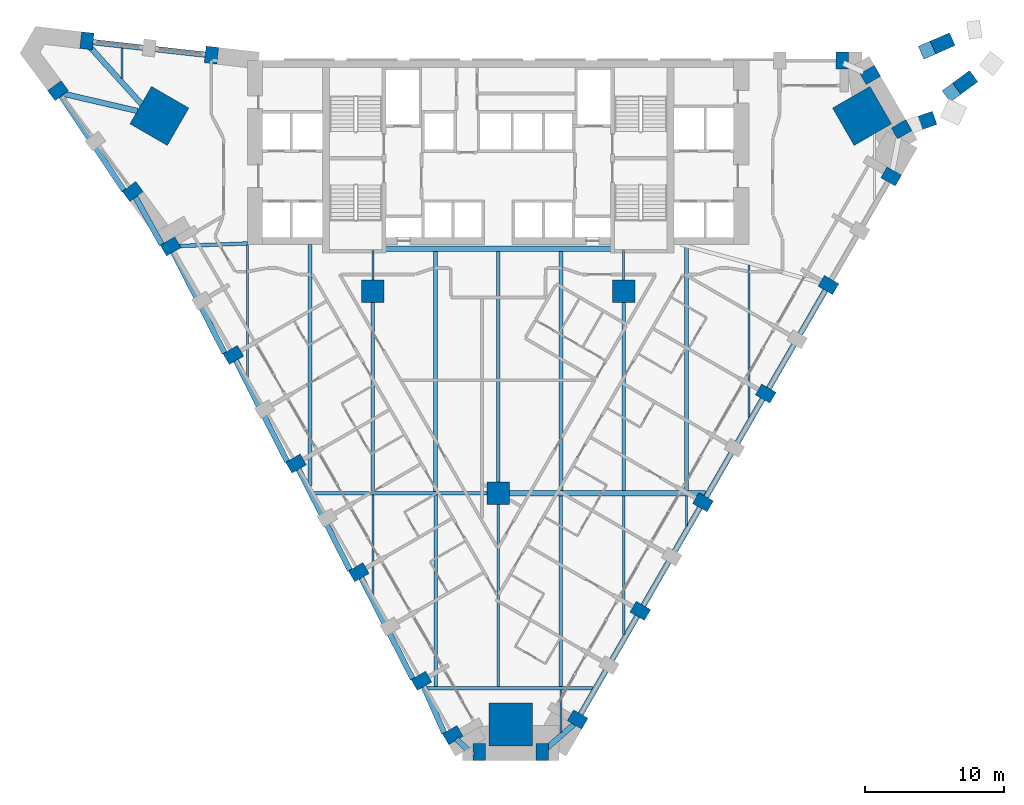
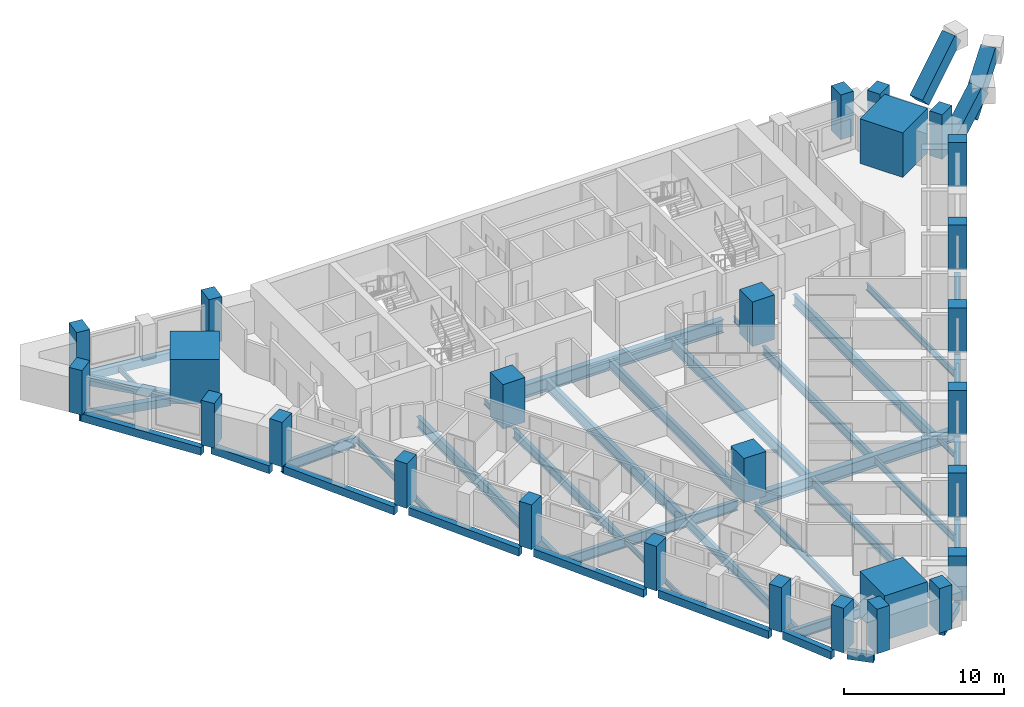
# One storey, part 1 of 12: 40 beams, 30 columns.
"""IFC4 building model written with IfcOpenShell, lengths in metres."""

from ifc_helpers import new_model, si_unit, direction, frame, origin, origin_2d, place, context, subcontext, project, spatial, rectangle, i_section, extrude, clip, halfspace, material, material_profile, profile_set, type_object, element, save


model = new_model("IFC4")

# Units and contexts
model_context = context("Model", 3, precision=1e-05, world=origin(), true_north=direction((0.0, 1.0)))
body_context = subcontext(model_context, "Body", "Model", "MODEL_VIEW")
ifc_project = project(units=[si_unit("LENGTHUNIT", "METRE"), si_unit("AREAUNIT", "SQUARE_METRE"), si_unit("VOLUMEUNIT", "CUBIC_METRE"), si_unit("PLANEANGLEUNIT", "RADIAN"), si_unit("MASSUNIT", "GRAM", prefix="KILO")], contexts=[model_context])

# Site, building, storey
site_placement = place(None, origin())
site = spatial("IfcSite", under=ifc_project, at=site_placement, CompositionType="ELEMENT")
building_placement = place(site_placement, origin())
building = spatial("IfcBuilding", under=site, at=building_placement, Name="Calabash Gate Tower", CompositionType="ELEMENT")
storey_placement = place(building_placement, frame((0.0, 0.0, 83.39990234375)))
storey = spatial("IfcBuildingStorey", under=building, at=storey_placement, Name="L17", CompositionType="ELEMENT", Elevation=83.39990234375)

# Columns
ifc_material_1 = material(Name="Concrete C80/95", Category="concrete")
ifc_material_profile_1 = material_profile(ifc_material_1, rectangle(XDim=1.60009765625, YDim=1.60009765625, at=origin_2d()))
ifc_profile_set_1 = profile_set([ifc_material_profile_1], Name="Concrete C80/95")
column_type_1 = type_object("IfcColumnType", Name="Interior column RC 1600x1600 Concrete C80/95", PredefinedType="COLUMN", material=ifc_profile_set_1)
for number, where, z_axis, x_axis, name in (
    (1, (-9.0, 2.5, 0.0), (0.0, 0.0, 1.0), (1.0, 0.0, 0.0), "Interior column L17 I0"),
    (2, (9.0, 2.5, 0.0), (0.0, 0.0, 1.0), (1.0, 0.0, 0.0), "Interior column L17 I1"),
    (3, (0.0, -12.0, 0.0), (0.0, 0.0, 1.0), (1.0, 0.0, 0.0), "Interior column L17 I2"),
):
    element("IfcColumn", number, at=place(storey_placement, frame(where, z_axis=z_axis, x_axis=x_axis)), inside=storey, type_object=column_type_1, Name=name, PredefinedType="COLUMN", context=body_context, shape_type="SweptSolid", body=[
        extrude(rectangle(XDim=1.60009765625, YDim=1.60009765625, at=origin_2d()), origin(), (0.0, 0.0, 1.0), 3.400146484375),
    ])
ifc_material_2 = material(Name="Concrete C80/95", Category="concrete")
ifc_material_profile_2 = material_profile(ifc_material_2, rectangle(XDim=3.10009765625, YDim=3.10009765625, at=origin_2d()))
ifc_profile_set_2 = profile_set([ifc_material_profile_2], Name="Concrete C80/95")
column_type_2 = type_object("IfcColumnType", Name="Mega column RC 3100x3100 Concrete C80/95", PredefinedType="COLUMN", material=ifc_profile_set_2)
for number, where, z_axis, x_axis, name in (
    (4, (-24.31689453125, 15.072998046875, 0.0), (0.0, 0.0, 1.0), (0.866025412511, -0.499999984885, 0.0), "Mega column L17 NW"),
    (5, (26.10693359375, 15.072998046875, 0.0), (0.0, 0.0, 1.0), (-0.866025447418, -0.499999924425, 0.0), "Mega column L17 NE"),
    (6, (0.89697265625, -28.595947265625, 0.0), (0.0, 0.0, 1.0), (0.0, 1.0, 0.0), "Mega column L17 S"),
):
    element("IfcColumn", number, at=place(storey_placement, frame(where, z_axis=z_axis, x_axis=x_axis)), inside=storey, type_object=column_type_2, Name=name, PredefinedType="COLUMN", context=body_context, shape_type="SweptSolid", body=[
        extrude(rectangle(XDim=3.10009765625, YDim=3.10009765625, at=origin_2d()), origin(), (0.0, 0.0, 1.0), 3.400146484375),
    ])
ifc_material_3 = material(Name="Concrete C70/85", Category="concrete")
ifc_material_profile_3 = material_profile(ifc_material_3, rectangle(XDim=0.89990234375, YDim=1.199951171875, at=origin_2d()))
ifc_profile_set_3 = profile_set([ifc_material_profile_3], Name="Concrete C70/85")
column_type_3 = type_object("IfcColumnType", Name="Perimeter column RC 900x1200 Concrete C70/85", PredefinedType="COLUMN", material=ifc_profile_set_3)
for number, where, z_axis, x_axis, name in (
    (7, (-23.509033203125, 5.714111328125, 0.0), (0.0, 0.0, 1.0), (0.5, -0.866025403784, 0.0), "Perimeter column L17 P00"),
    (8, (-19.009033203125, -2.080078125, 0.0), (0.0, 0.0, 1.0), (0.5, -0.866025403784, 0.0), "Perimeter column L17 P01"),
    (9, (-14.509033203125, -9.8740234375, 0.0), (0.0, 0.0, 1.0), (0.5, -0.866025403784, 0.0), "Perimeter column L17 P02"),
    (10, (-10.009033203125, -17.6689453125, 0.0), (0.0, 0.0, 1.0), (0.5, -0.866025403784, 0.0), "Perimeter column L17 P03"),
    (11, (-5.509033203125, -25.462890625, 0.0), (0.0, 0.0, 1.0), (0.5, -0.866025403784, 0.0), "Perimeter column L17 P04"),
    (12, (-3.259033203125, -29.360107421875, 0.0), (0.0, 0.0, 1.0), (0.5, -0.866025403784, 0.0), "Perimeter column L17 P05"),
    (13, (-1.35302734375, -30.573974609375, 0.0), (0.0, 0.0, 1.0), (1.0, 0.0, 0.0), "Perimeter column L17 P06"),
    (14, (3.14697265625, -30.573974609375, 0.0), (0.0, 0.0, 1.0), (1.0, 0.0, 0.0), "Perimeter column L17 P07"),
    (15, (5.697021484375, -28.237060546875, 0.0), (0.0, 0.0, 1.0), (0.5, 0.866025403784, 0.0), "Perimeter column L17 P08"),
    (16, (10.197021484375, -20.443115234375, 0.0), (0.0, 0.0, 1.0), (0.5, 0.866025403784, 0.0), "Perimeter column L17 P09"),
    (17, (14.697021484375, -12.64794921875, 0.0), (0.0, 0.0, 1.0), (0.5, 0.866025403784, 0.0), "Perimeter column L17 P10"),
    (18, (19.197021484375, -4.85400390625, 0.0), (0.0, 0.0, 1.0), (0.5, 0.866025403784, 0.0), "Perimeter column L17 P11"),
    (19, (23.697021484375, 2.93994140625, 0.0), (0.0, 0.0, 1.0), (0.5, 0.866025403784, 0.0), "Perimeter column L17 P12"),
    (20, (28.197021484375, 10.73388671875, 0.0), (0.0, 0.0, 1.0), (0.5, 0.866025403784, 0.0), "Perimeter column L17 P13"),
    (21, (28.947021484375, 14.113037109375, 0.0), (0.0, 0.0, 1.0), (-0.5, 0.866025403784, 0.0), "Perimeter column L17 P14"),
    (22, (26.697021484375, 18.010986328125, 0.0), (0.0, 0.0, 1.0), (-0.5, 0.866025403784, 0.0), "Perimeter column L17 P15"),
    (23, (24.69189453125, 19.052978515625, 0.0), (0.0, 0.0, 1.0), (-1.0, 0.0, 0.0), "Perimeter column L17 P16"),
    (24, (-20.576904296875, 19.43798828125, 0.0), (0.0, 0.0, 1.0), (-0.993506319736, 0.113776942504, 0.0), "Perimeter column L17 P17"),
    (25, (-29.51904296875, 20.4619140625, 0.0), (0.0, 0.0, 1.0), (-0.993506319736, 0.113776942504, 0.0), "Perimeter column L17 P18"),
    (26, (-31.5830078125, 16.883056640625, 0.0), (0.0, 0.0, 1.0), (0.595286896465, -0.80351323007, 0.0), "Perimeter column L17 P19"),
    (27, (-26.22802734375, 9.65087890625, 0.0), (0.0, 0.0, 1.0), (0.595286896465, -0.80351323007, 0.0), "Perimeter column L17 P20"),
):
    element("IfcColumn", number, at=place(storey_placement, frame(where, z_axis=z_axis, x_axis=x_axis)), inside=storey, type_object=column_type_3, Name=name, PredefinedType="COLUMN", context=body_context, shape_type="SweptSolid", body=[
        extrude(rectangle(XDim=0.89990234375, YDim=1.199951171875, at=origin_2d()), origin(), (0.0, 0.0, 1.0), 3.400146484375),
    ])
ifc_material_4 = material(Name="Concrete C80/95", Category="concrete")
ifc_material_profile_4 = material_profile(ifc_material_4, rectangle(XDim=1.0, YDim=1.0, at=origin_2d()))
ifc_profile_set_4 = profile_set([ifc_material_profile_4], Name="Concrete C80/95")
column_type_4 = type_object("IfcColumnType", Name="Prow kicker column RC 1000x1000 Concrete C80/95", PredefinedType="COLUMN", material=ifc_profile_set_4)
column_1_placement = place(storey_placement, frame((29.947021484375, 14.4609375, 0.453125), z_axis=(0.666516836402, 0.23158436847, 0.708607075235), x_axis=(-0.669354222062, -0.232570231287, 0.705603297135)))
element("IfcColumn", 28, at=column_1_placement, inside=storey, type_object=column_type_4, Name="Prow kicker column L17 KP21", PredefinedType="COLUMN", context=body_context, shape_type="Clipping", body=[
    clip(extrude(rectangle(XDim=1.0, YDim=1.0, at=origin_2d()), origin(), (0.0, 0.0, 1.0), 4.158935546875), halfspace(frame((0.0, 0.0, 3.65478515625), z_axis=(0.0, 0.0, 1.0), x_axis=(1.0, 0.0, 0.0)), False)),
])
column_2_placement = place(storey_placement, frame((32.41796875, 16.674072265625, 0.0), z_axis=(0.602698711468, 0.444421892333, 0.66275443779), x_axis=(-0.533415618607, -0.393333475103, 0.748836801439)))
element("IfcColumn", 29, at=column_2_placement, inside=storey, type_object=column_type_4, Name="Prow kicker column L17 KP22", PredefinedType="COLUMN", context=body_context, shape_type="Clipping", body=[
    clip(extrude(rectangle(XDim=1.0, YDim=1.0, at=origin_2d()), origin(), (0.0, 0.0, 1.0), 5.13037109375), halfspace(frame((0.0, 0.0, 4.559326171875), z_axis=(0.0, 0.0, 1.0), x_axis=(1.0, 0.0, 0.0)), False)),
])
column_3_placement = place(storey_placement, frame((30.64892578125, 19.738037109375, 0.0), z_axis=(0.686269699102, 0.299737403595, 0.66271516429), x_axis=(-0.607315541992, -0.265253127098, 0.748871558426)))
element("IfcColumn", 30, at=column_3_placement, inside=storey, type_object=column_type_4, Name="Prow kicker column L17 KP23", PredefinedType="COLUMN", context=body_context, shape_type="Clipping", body=[
    clip(extrude(rectangle(XDim=1.0, YDim=1.0, at=origin_2d()), origin(), (0.0, 0.0, 1.0), 5.130615234375), halfspace(frame((0.0, 0.0, 4.5595703125), z_axis=(0.0, 0.0, 1.0), x_axis=(1.0, 0.0, 0.0)), False)),
])

# Beams
ifc_material_5 = material(Name="Concrete C60/75", Category="concrete")
ifc_material_profile_5 = material_profile(ifc_material_5, rectangle(XDim=0.39990234375, YDim=0.60009765625, at=origin_2d()))
ifc_profile_set_5 = profile_set([ifc_material_profile_5], Name="Concrete C60/75")
beam_type_1 = type_object("IfcBeamType", Name="Edge beam RC 400x600 Concrete C60/75", PredefinedType="BEAM", material=ifc_profile_set_5)
for number, where, z_axis, x_axis, name in (
    (31, (-18.864013671875, -2.4208984375, -0.469970703125), (0.454360539812, -0.890817882545, 0.0), (0.890817882545, 0.454360539812, 0.0), "Edge beam L17 1"),
    (32, (-14.364013671875, -10.216064453125, -0.469970703125), (0.454360539812, -0.890817882545, 0.0), (0.890817882545, 0.454360539812, 0.0), "Edge beam L17 2"),
    (33, (-9.864013671875, -18.010009765625, -0.469970703125), (0.454360539812, -0.890817882545, 0.0), (0.890817882545, 0.454360539812, 0.0), "Edge beam L17 3"),
):
    element("IfcBeam", number, at=place(storey_placement, frame(where, z_axis=z_axis, x_axis=x_axis)), inside=storey, type_object=beam_type_1, Name=name, PredefinedType="BEAM", context=body_context, shape_type="SweptSolid", body=[
        extrude(rectangle(XDim=0.39990234375, YDim=0.60009765625, at=origin_2d()), origin(), (0.0, 0.0, 1.0), 8.209228515625),
    ])
beam_1_placement = place(storey_placement, frame((-5.383056640625, -25.802978515625, -0.469970703125), z_axis=(0.406538286329, -0.913633745955, 0.0), x_axis=(0.913633745955, 0.406538286329, 0.0)))
element("IfcBeam", 34, at=beam_1_placement, inside=storey, type_object=beam_type_1, Name="Edge beam L17 4", PredefinedType="BEAM", context=body_context, shape_type="SweptSolid", body=[
    extrude(rectangle(XDim=0.39990234375, YDim=0.60009765625, at=origin_2d()), origin(), (0.0, 0.0, 1.0), 3.739013671875),
])
beam_2_placement = place(storey_placement, frame((-3.01708984375, -29.626953125, -0.469970703125), z_axis=(0.719900616521, -0.694077158774, 0.0), x_axis=(0.694077158774, 0.719900616521, 0.0)))
element("IfcBeam", 35, at=beam_2_placement, inside=storey, type_object=beam_type_1, Name="Edge beam L17 5", PredefinedType="BEAM", context=body_context, shape_type="SweptSolid", body=[
    extrude(rectangle(XDim=0.39990234375, YDim=0.60009765625, at=origin_2d()), origin(), (0.0, 0.0, 1.0), 1.70166015625),
])
beam_3_placement = place(storey_placement, frame((3.277099609375, -30.466064453125, -0.469970703125), z_axis=(0.754438433484, 0.656370817512, 0.0), x_axis=(-0.656370817512, 0.754438433484, 0.0)))
element("IfcBeam", 36, at=beam_3_placement, inside=storey, type_object=beam_type_1, Name="Edge beam L17 6", PredefinedType="BEAM", context=body_context, shape_type="SweptSolid", body=[
    extrude(rectangle(XDim=0.39990234375, YDim=0.60009765625, at=origin_2d()), origin(), (0.0, 0.0, 1.0), 2.863037109375),
])
beam_4_placement = place(storey_placement, frame((5.76611328125, -28.116943359375, -0.469970703125), z_axis=(0.500003371769, 0.866023457084, 0.0), x_axis=(-0.866023457084, 0.500003371769, 0.0)))
element("IfcBeam", 37, at=beam_4_placement, inside=storey, type_object=beam_type_1, Name="Edge beam L17 7", PredefinedType="BEAM", context=body_context, shape_type="SweptSolid", body=[
    extrude(rectangle(XDim=0.39990234375, YDim=0.60009765625, at=origin_2d()), origin(), (0.0, 0.0, 1.0), 8.42578125),
])
for number, where, z_axis, x_axis, name in (
    (38, (10.26611328125, -20.322998046875, -0.469970703125), (0.499990825162, 0.866030700815, 0.0), (-0.866030700815, 0.499990825162, 0.0), "Edge beam L17 8"),
    (39, (14.76611328125, -12.529052734375, -0.469970703125), (0.499990825162, 0.866030700815, 0.0), (-0.866030700815, 0.499990825162, 0.0), "Edge beam L17 9"),
):
    element("IfcBeam", number, at=place(storey_placement, frame(where, z_axis=z_axis, x_axis=x_axis)), inside=storey, type_object=beam_type_1, Name=name, PredefinedType="BEAM", context=body_context, shape_type="SweptSolid", body=[
        extrude(rectangle(XDim=0.39990234375, YDim=0.60009765625, at=origin_2d()), origin(), (0.0, 0.0, 1.0), 8.426025390625),
    ])
beam_5_placement = place(storey_placement, frame((19.26611328125, -4.73291015625, -0.469970703125), z_axis=(0.500103763521, 0.865965487599, 0.0), x_axis=(-0.865965487599, 0.500103763521, 0.0)))
element("IfcBeam", 40, at=beam_5_placement, inside=storey, type_object=beam_type_1, Name="Edge beam L17 10", PredefinedType="BEAM", context=body_context, shape_type="SweptSolid", body=[
    extrude(rectangle(XDim=0.39990234375, YDim=0.60009765625, at=origin_2d()), origin(), (0.0, 0.0, 1.0), 8.424072265625),
])
beam_6_placement = place(storey_placement, frame((-21.008056640625, 19.466064453125, -0.469970703125), z_axis=(-0.993831779681, 0.110898123053, 0.0), x_axis=(-0.110898123053, -0.993831779681, 0.0)))
element("IfcBeam", 41, at=beam_6_placement, inside=storey, type_object=beam_type_1, Name="Edge beam L17 14", PredefinedType="BEAM", context=body_context, shape_type="SweptSolid", body=[
    extrude(rectangle(XDim=0.39990234375, YDim=0.60009765625, at=origin_2d()), origin(), (0.0, 0.0, 1.0), 8.72900390625),
])
beam_7_placement = place(storey_placement, frame((-29.674072265625, 20.43603515625, -0.469970703125), z_axis=(0.67040303974, -0.741997145754, 0.0), x_axis=(0.741997145754, 0.67040303974, 0.0)))
element("IfcBeam", 42, at=beam_7_placement, inside=storey, type_object=beam_type_1, Name="Edge beam L17 15", PredefinedType="BEAM", context=body_context, shape_type="SweptSolid", body=[
    extrude(rectangle(XDim=0.39990234375, YDim=0.60009765625, at=origin_2d()), origin(), (0.0, 0.0, 1.0), 6.09033203125),
])
beam_8_placement = place(storey_placement, frame((-25.881103515625, 15.427001953125, -0.469970703125), z_axis=(-0.974103552421, 0.226102342228, 0.0), x_axis=(-0.226102342228, -0.974103552421, 0.0)))
element("IfcBeam", 43, at=beam_8_placement, inside=storey, type_object=beam_type_1, Name="Edge beam L17 16", PredefinedType="BEAM", context=body_context, shape_type="SweptSolid", body=[
    extrude(rectangle(XDim=0.39990234375, YDim=0.60009765625, at=origin_2d()), origin(), (0.0, 0.0, 1.0), 5.8955078125),
])
beam_9_placement = place(storey_placement, frame((-31.56689453125, 16.81103515625, -0.469970703125), z_axis=(0.554653898701, -0.832081157494, 0.0), x_axis=(0.832081157494, 0.554653898701, 0.0)))
element("IfcBeam", 44, at=beam_9_placement, inside=storey, type_object=beam_type_1, Name="Edge beam L17 17", PredefinedType="BEAM", context=body_context, shape_type="SweptSolid", body=[
    extrude(rectangle(XDim=0.39990234375, YDim=0.60009765625, at=origin_2d()), origin(), (0.0, 0.0, 1.0), 8.5185546875),
])
beam_10_placement = place(storey_placement, frame((-26.208984375, 9.56396484375, -0.469970703125), z_axis=(0.485277183535, -0.87436036915, 0.0), x_axis=(0.87436036915, 0.485277183535, 0.0)))
element("IfcBeam", 45, at=beam_10_placement, inside=storey, type_object=beam_type_1, Name="Edge beam L17 18", PredefinedType="BEAM", context=body_context, shape_type="SweptSolid", body=[
    extrude(rectangle(XDim=0.39990234375, YDim=0.60009765625, at=origin_2d()), origin(), (0.0, 0.0, 1.0), 4.251220703125),
])
beam_11_placement = place(storey_placement, frame((-23.364013671875, 5.373046875, -0.469970703125), z_axis=(0.454360539812, -0.890817882545, 0.0), x_axis=(0.890817882545, 0.454360539812, 0.0)))
element("IfcBeam", 46, at=beam_11_placement, inside=storey, type_object=beam_type_1, Name="Edge beam L17 19", PredefinedType="BEAM", context=body_context, shape_type="SweptSolid", body=[
    extrude(rectangle(XDim=0.39990234375, YDim=0.60009765625, at=origin_2d()), origin(), (0.0, 0.0, 1.0), 8.209228515625),
])
ifc_material_6 = material(Name="Steel ASTM A992 Gr50", Category="steel")
ifc_material_profile_6 = material_profile(ifc_material_6, i_section(OverallWidth=0.1396484375, OverallDepth=0.398681640625, WebThickness=0.00634765625, FlangeThickness=0.0087890625, FilletRadius=0.01025390625, at=origin_2d()))
ifc_profile_set_6 = profile_set([ifc_material_profile_6], Name="Steel ASTM A992 Gr50")
beam_type_2 = type_object("IfcBeamType", Name="Floor beam W16x26 ASTM A992 Gr50", PredefinedType="BEAM", material=ifc_profile_set_6)
beam_12_placement = place(storey_placement, frame((-27.0, 17.741943359375, -0.368896484375), z_axis=(0.0, 1.0, 0.0), x_axis=(-1.0, 0.0, 0.0)))
element("IfcBeam", 47, at=beam_12_placement, inside=storey, type_object=beam_type_2, Name="Floor beam L17 1", PredefinedType="BEAM", context=body_context, shape_type="SweptSolid", body=[
    extrude(i_section(OverallWidth=0.1396484375, OverallDepth=0.398681640625, WebThickness=0.00634765625, FlangeThickness=0.0087890625, FilletRadius=0.01025390625, at=origin_2d()), origin(), (0.0, 0.0, 1.0), 2.220947265625),
])
beam_13_placement = place(storey_placement, frame((-9.0, -19.2880859375, -0.368896484375), z_axis=(0.0, 1.0, 0.0), x_axis=(-1.0, 0.0, 0.0)))
element("IfcBeam", 48, at=beam_13_placement, inside=storey, type_object=beam_type_2, Name="Floor beam L17 4", PredefinedType="BEAM", context=body_context, shape_type="SweptSolid", body=[
    extrude(i_section(OverallWidth=0.1396484375, OverallDepth=0.398681640625, WebThickness=0.00634765625, FlangeThickness=0.0087890625, FilletRadius=0.01025390625, at=origin_2d()), origin(), (0.0, 0.0, 1.0), 7.155029296875),
])
beam_14_placement = place(storey_placement, frame((-9.0, 3.300048828125, -0.368896484375), z_axis=(0.0, 1.0, 0.0), x_axis=(-1.0, 0.0, 0.0)))
element("IfcBeam", 49, at=beam_14_placement, inside=storey, type_object=beam_type_2, Name="Floor beam L17 6", PredefinedType="BEAM", context=body_context, shape_type="SweptSolid", body=[
    extrude(i_section(OverallWidth=0.1396484375, OverallDepth=0.398681640625, WebThickness=0.00634765625, FlangeThickness=0.0087890625, FilletRadius=0.01025390625, at=origin_2d()), origin(), (0.0, 0.0, 1.0), 2.10302734375),
])
beam_15_placement = place(storey_placement, frame((4.5, -29.16796875, -0.368896484375), z_axis=(0.0, 1.0, 0.0), x_axis=(-1.0, 0.0, 0.0)))
element("IfcBeam", 50, at=beam_15_placement, inside=storey, type_object=beam_type_2, Name="Floor beam L17 11", PredefinedType="BEAM", context=body_context, shape_type="SweptSolid", body=[
    extrude(i_section(OverallWidth=0.1396484375, OverallDepth=0.398681640625, WebThickness=0.00634765625, FlangeThickness=0.0087890625, FilletRadius=0.01025390625, at=origin_2d()), origin(), (0.0, 0.0, 1.0), 3.034912109375),
])
beam_16_placement = place(storey_placement, frame((9.0, 3.300048828125, -0.368896484375), z_axis=(0.0, 1.0, 0.0), x_axis=(-1.0, 0.0, 0.0)))
element("IfcBeam", 51, at=beam_16_placement, inside=storey, type_object=beam_type_2, Name="Floor beam L17 16", PredefinedType="BEAM", context=body_context, shape_type="SweptSolid", body=[
    extrude(i_section(OverallWidth=0.1396484375, OverallDepth=0.398681640625, WebThickness=0.00634765625, FlangeThickness=0.0087890625, FilletRadius=0.01025390625, at=origin_2d()), origin(), (0.0, 0.0, 1.0), 2.10302734375),
])
beam_17_placement = place(storey_placement, frame((13.5, -14.35400390625, -0.368896484375), z_axis=(0.0, 1.0, 0.0), x_axis=(-1.0, 0.0, 0.0)))
element("IfcBeam", 52, at=beam_17_placement, inside=storey, type_object=beam_type_2, Name="Floor beam L17 17", PredefinedType="BEAM", context=body_context, shape_type="SweptSolid", body=[
    extrude(i_section(OverallWidth=0.1396484375, OverallDepth=0.398681640625, WebThickness=0.00634765625, FlangeThickness=0.0087890625, FilletRadius=0.01025390625, at=origin_2d()), origin(), (0.0, 0.0, 1.0), 2.14404296875),
])
ifc_material_7 = material(Name="Steel ASTM A992 Gr50", Category="steel")
ifc_material_profile_7 = material_profile(ifc_material_7, i_section(OverallWidth=0.15234375, OverallDepth=0.44970703125, WebThickness=0.007568359375, FlangeThickness=0.0107421875, FilletRadius=0.01025390625, at=origin_2d()))
ifc_profile_set_7 = profile_set([ifc_material_profile_7], Name="Steel ASTM A992 Gr50")
beam_type_3 = type_object("IfcBeamType", Name="Floor beam W18x35 ASTM A992 Gr50", PredefinedType="BEAM", material=ifc_profile_set_7)
beam_18_placement = place(storey_placement, frame((-18.0, -3.699951171875, -0.392822265625), z_axis=(0.0, 1.0, 0.0), x_axis=(-1.0, 0.0, 0.0)))
element("IfcBeam", 53, at=beam_18_placement, inside=storey, type_object=beam_type_3, Name="Floor beam L17 2", PredefinedType="BEAM", context=body_context, shape_type="SweptSolid", body=[
    extrude(i_section(OverallWidth=0.15234375, OverallDepth=0.44970703125, WebThickness=0.007568359375, FlangeThickness=0.0107421875, FilletRadius=0.01025390625, at=origin_2d()), origin(), (0.0, 0.0, 1.0), 9.512939453125),
])
ifc_material_8 = material(Name="Steel ASTM A992 Gr50", Category="steel")
ifc_material_profile_8 = material_profile(ifc_material_8, i_section(OverallWidth=0.166015625, OverallDepth=0.5283203125, WebThickness=0.009765625, FlangeThickness=0.013671875, FilletRadius=0.0126953125, at=origin_2d()))
ifc_profile_set_8 = profile_set([ifc_material_profile_8], Name="Steel ASTM A992 Gr50")
beam_type_4 = type_object("IfcBeamType", Name="Floor beam W21x50 ASTM A992 Gr50", PredefinedType="BEAM", material=ifc_profile_set_8)
beam_19_placement = place(storey_placement, frame((9.0, -22.14892578125, -0.433837890625), z_axis=(0.0, 1.0, 0.0), x_axis=(-1.0, 0.0, 0.0)))
element("IfcBeam", 54, at=beam_19_placement, inside=storey, type_object=beam_type_4, Name="Floor beam L17 14", PredefinedType="BEAM", context=body_context, shape_type="SweptSolid", body=[
    extrude(i_section(OverallWidth=0.166015625, OverallDepth=0.5283203125, WebThickness=0.009765625, FlangeThickness=0.013671875, FilletRadius=0.0126953125, at=origin_2d()), origin(), (0.0, 0.0, 1.0), 9.93896484375),
])
beam_20_placement = place(storey_placement, frame((18.0, -6.56005859375, -0.433837890625), z_axis=(0.0, 1.0, 0.0), x_axis=(-1.0, 0.0, 0.0)))
element("IfcBeam", 55, at=beam_20_placement, inside=storey, type_object=beam_type_4, Name="Floor beam L17 19", PredefinedType="BEAM", context=body_context, shape_type="SweptSolid", body=[
    extrude(i_section(OverallWidth=0.166015625, OverallDepth=0.5283203125, WebThickness=0.009765625, FlangeThickness=0.013671875, FilletRadius=0.0126953125, at=origin_2d()), origin(), (0.0, 0.0, 1.0), 10.948974609375),
])
ifc_material_9 = material(Name="Steel ASTM A992 Gr50", Category="steel")
ifc_material_profile_9 = material_profile(ifc_material_9, i_section(OverallWidth=0.1787109375, OverallDepth=0.60205078125, WebThickness=0.010986328125, FlangeThickness=0.014892578125, FilletRadius=0.0126953125, at=origin_2d()))
ifc_profile_set_9 = profile_set([ifc_material_profile_9], Name="Steel ASTM A992 Gr50")
beam_type_5 = type_object("IfcBeamType", Name="Floor beam W24x62 ASTM A992 Gr50", PredefinedType="BEAM", material=ifc_profile_set_9)
beam_21_placement = place(storey_placement, frame((0.0, -25.866943359375, -0.470947265625), z_axis=(0.0, 1.0, 0.0), x_axis=(-1.0, 0.0, 0.0)))
element("IfcBeam", 56, at=beam_21_placement, inside=storey, type_object=beam_type_5, Name="Floor beam L17 9", PredefinedType="BEAM", context=body_context, shape_type="SweptSolid", body=[
    extrude(i_section(OverallWidth=0.1787109375, OverallDepth=0.60205078125, WebThickness=0.010986328125, FlangeThickness=0.014892578125, FilletRadius=0.0126953125, at=origin_2d()), origin(), (0.0, 0.0, 1.0), 13.06689453125),
])
ifc_material_10 = material(Name="Steel ASTM A992 Gr50", Category="steel")
ifc_material_profile_10 = material_profile(ifc_material_10, i_section(OverallWidth=0.25390625, OverallDepth=0.67822265625, WebThickness=0.01171875, FlangeThickness=0.016357421875, FilletRadius=0.01513671875, at=origin_2d()))
ifc_profile_set_10 = profile_set([ifc_material_profile_10], Name="Steel ASTM A992 Gr50")
beam_type_6 = type_object("IfcBeamType", Name="Floor beam W27x84 ASTM A992 Gr50", PredefinedType="BEAM", material=ifc_profile_set_10)
beam_22_placement = place(storey_placement, frame((-9.0, -11.866943359375, -0.5087890625), z_axis=(0.0, 1.0, 0.0), x_axis=(-1.0, 0.0, 0.0)))
element("IfcBeam", 57, at=beam_22_placement, inside=storey, type_object=beam_type_6, Name="Floor beam L17 5", PredefinedType="BEAM", context=body_context, shape_type="SweptSolid", body=[
    extrude(i_section(OverallWidth=0.25390625, OverallDepth=0.67822265625, WebThickness=0.01171875, FlangeThickness=0.016357421875, FilletRadius=0.01513671875, at=origin_2d()), origin(), (0.0, 0.0, 1.0), 13.56689453125),
])
beam_23_placement = place(storey_placement, frame((-4.5, -25.866943359375, -0.5087890625), z_axis=(0.0, 1.0, 0.0), x_axis=(-1.0, 0.0, 0.0)))
element("IfcBeam", 58, at=beam_23_placement, inside=storey, type_object=beam_type_6, Name="Floor beam L17 7", PredefinedType="BEAM", context=body_context, shape_type="SweptSolid", body=[
    extrude(i_section(OverallWidth=0.25390625, OverallDepth=0.67822265625, WebThickness=0.01171875, FlangeThickness=0.016357421875, FilletRadius=0.01513671875, at=origin_2d()), origin(), (0.0, 0.0, 1.0), 13.73388671875),
])
beam_24_placement = place(storey_placement, frame((4.5, -25.866943359375, -0.5087890625), z_axis=(0.0, 1.0, 0.0), x_axis=(-1.0, 0.0, 0.0)))
element("IfcBeam", 59, at=beam_24_placement, inside=storey, type_object=beam_type_6, Name="Floor beam L17 12", PredefinedType="BEAM", context=body_context, shape_type="SweptSolid", body=[
    extrude(i_section(OverallWidth=0.25390625, OverallDepth=0.67822265625, WebThickness=0.01171875, FlangeThickness=0.016357421875, FilletRadius=0.01513671875, at=origin_2d()), origin(), (0.0, 0.0, 1.0), 13.656982421875),
])
beam_25_placement = place(storey_placement, frame((9.0, -11.7900390625, -0.5087890625), z_axis=(0.0, 1.0, 0.0), x_axis=(-1.0, 0.0, 0.0)))
element("IfcBeam", 60, at=beam_25_placement, inside=storey, type_object=beam_type_6, Name="Floor beam L17 15", PredefinedType="BEAM", context=body_context, shape_type="SweptSolid", body=[
    extrude(i_section(OverallWidth=0.25390625, OverallDepth=0.67822265625, WebThickness=0.01171875, FlangeThickness=0.016357421875, FilletRadius=0.01513671875, at=origin_2d()), origin(), (0.0, 0.0, 1.0), 13.489990234375),
])
ifc_material_11 = material(Name="Steel ASTM A992 Gr50", Category="steel")
ifc_material_profile_11 = material_profile(ifc_material_11, i_section(OverallWidth=0.2666015625, OverallDepth=0.7568359375, WebThickness=0.013916015625, FlangeThickness=0.019287109375, FilletRadius=0.0166015625, at=origin_2d()))
ifc_profile_set_11 = profile_set([ifc_material_profile_11], Name="Steel ASTM A992 Gr50")
beam_type_7 = type_object("IfcBeamType", Name="Floor beam W30x108 ASTM A992 Gr50", PredefinedType="BEAM", material=ifc_profile_set_11)
beam_26_placement = place(storey_placement, frame((0.0, -11.199951171875, -0.5478515625), z_axis=(0.0, 1.0, 0.0), x_axis=(-1.0, 0.0, 0.0)))
element("IfcBeam", 61, at=beam_26_placement, inside=storey, type_object=beam_type_7, Name="Floor beam L17 10", PredefinedType="BEAM", context=body_context, shape_type="SweptSolid", body=[
    extrude(i_section(OverallWidth=0.2666015625, OverallDepth=0.7568359375, WebThickness=0.013916015625, FlangeThickness=0.019287109375, FilletRadius=0.0166015625, at=origin_2d()), origin(), (0.0, 0.0, 1.0), 16.552001953125),
])
ifc_material_12 = material(Name="Steel ASTM A992 Gr50", Category="steel")
ifc_material_profile_12 = material_profile(ifc_material_12, i_section(OverallWidth=0.2919921875, OverallDepth=0.845703125, WebThickness=0.015380859375, FlangeThickness=0.0244140625, FilletRadius=0.017822265625, at=origin_2d()))
ifc_profile_set_12 = profile_set([ifc_material_profile_12], Name="Steel ASTM A992 Gr50")
beam_type_8 = type_object("IfcBeamType", Name="Floor beam W33x141 ASTM A992 Gr50", PredefinedType="BEAM", material=ifc_profile_set_12)
beam_27_placement = place(storey_placement, frame((-13.5, -11.493896484375, -0.593017578125), z_axis=(0.0, 1.0, 0.0), x_axis=(-1.0, 0.0, 0.0)))
element("IfcBeam", 62, at=beam_27_placement, inside=storey, type_object=beam_type_8, Name="Floor beam L17 3", PredefinedType="BEAM", context=body_context, shape_type="SweptSolid", body=[
    extrude(i_section(OverallWidth=0.2919921875, OverallDepth=0.845703125, WebThickness=0.015380859375, FlangeThickness=0.0244140625, FilletRadius=0.017822265625, at=origin_2d()), origin(), (0.0, 0.0, 1.0), 17.346923828125),
])
beam_28_placement = place(storey_placement, frame((-4.5, -11.866943359375, -0.593017578125), z_axis=(0.0, 1.0, 0.0), x_axis=(-1.0, 0.0, 0.0)))
element("IfcBeam", 63, at=beam_28_placement, inside=storey, type_object=beam_type_8, Name="Floor beam L17 8", PredefinedType="BEAM", context=body_context, shape_type="SweptSolid", body=[
    extrude(i_section(OverallWidth=0.2919921875, OverallDepth=0.845703125, WebThickness=0.015380859375, FlangeThickness=0.0244140625, FilletRadius=0.017822265625, at=origin_2d()), origin(), (0.0, 0.0, 1.0), 17.218994140625),
])
beam_29_placement = place(storey_placement, frame((4.5, -11.7900390625, -0.593017578125), z_axis=(0.0, 1.0, 0.0), x_axis=(-1.0, 0.0, 0.0)))
element("IfcBeam", 64, at=beam_29_placement, inside=storey, type_object=beam_type_8, Name="Floor beam L17 13", PredefinedType="BEAM", context=body_context, shape_type="SweptSolid", body=[
    extrude(i_section(OverallWidth=0.2919921875, OverallDepth=0.845703125, WebThickness=0.015380859375, FlangeThickness=0.0244140625, FilletRadius=0.017822265625, at=origin_2d()), origin(), (0.0, 0.0, 1.0), 17.14208984375),
])
beam_30_placement = place(storey_placement, frame((13.5, -11.7900390625, -0.593017578125), z_axis=(0.0, 1.0, 0.0), x_axis=(-1.0, 0.0, 0.0)))
element("IfcBeam", 65, at=beam_30_placement, inside=storey, type_object=beam_type_8, Name="Floor beam L17 18", PredefinedType="BEAM", context=body_context, shape_type="SweptSolid", body=[
    extrude(i_section(OverallWidth=0.2919921875, OverallDepth=0.845703125, WebThickness=0.015380859375, FlangeThickness=0.0244140625, FilletRadius=0.017822265625, at=origin_2d()), origin(), (0.0, 0.0, 1.0), 17.4140625),
])
ifc_material_13 = material(Name="Steel ASTM A992 Gr50", Category="steel")
ifc_material_profile_13 = material_profile(ifc_material_13, i_section(OverallWidth=0.2666015625, OverallDepth=0.77978515625, WebThickness=0.0166015625, FlangeThickness=0.030029296875, FilletRadius=0.0166015625, at=origin_2d()))
ifc_profile_set_13 = profile_set([ifc_material_profile_13], Name="Steel ASTM A992 Gr50")
beam_type_9 = type_object("IfcBeamType", Name="Girder W30x148 ASTM A992 Gr50", PredefinedType="BEAM", material=ifc_profile_set_13)
beam_31_placement = place(storey_placement, frame((-23.43310546875, 5.717041015625, -0.559814453125), z_axis=(0.999274774778, 0.038077874046, 0.0), x_axis=(-0.038077874046, 0.999274774778, 0.0)))
element("IfcBeam", 66, at=beam_31_placement, inside=storey, type_object=beam_type_9, Name="Girder L17 2", PredefinedType="BEAM", context=body_context, shape_type="SweptSolid", body=[
    extrude(i_section(OverallWidth=0.2666015625, OverallDepth=0.77978515625, WebThickness=0.0166015625, FlangeThickness=0.030029296875, FilletRadius=0.0166015625, at=origin_2d()), origin(), (0.0, 0.0, 1.0), 5.43701171875),
])
beam_32_placement = place(storey_placement, frame((-13.251953125, -12.0, -0.559814453125), z_axis=(1.0, 0.0, 0.0), x_axis=(0.0, 1.0, 0.0)))
element("IfcBeam", 67, at=beam_32_placement, inside=storey, type_object=beam_type_9, Name="Girder L17 4", PredefinedType="BEAM", context=body_context, shape_type="SweptSolid", body=[
    extrude(i_section(OverallWidth=0.2666015625, OverallDepth=0.77978515625, WebThickness=0.0166015625, FlangeThickness=0.030029296875, FilletRadius=0.0166015625, at=origin_2d()), origin(), (0.0, 0.0, 1.0), 12.451904296875),
])
beam_33_placement = place(storey_placement, frame((-5.10888671875, -26.0, -0.559814453125), z_axis=(1.0, 0.0, 0.0), x_axis=(0.0, 1.0, 0.0)))
element("IfcBeam", 68, at=beam_33_placement, inside=storey, type_object=beam_type_9, Name="Girder L17 6", PredefinedType="BEAM", context=body_context, shape_type="SweptSolid", body=[
    extrude(i_section(OverallWidth=0.2666015625, OverallDepth=0.77978515625, WebThickness=0.0166015625, FlangeThickness=0.030029296875, FilletRadius=0.0166015625, at=origin_2d()), origin(), (0.0, 0.0, 1.0), 11.887939453125),
])
ifc_material_14 = material(Name="Steel ASTM A992 Gr50", Category="steel")
ifc_material_profile_14 = material_profile(ifc_material_14, i_section(OverallWidth=0.419189453125, OverallDepth=0.927001953125, WebThickness=0.019287109375, FlangeThickness=0.031982421875, FilletRadius=0.024169921875, at=origin_2d()))
ifc_profile_set_14 = profile_set([ifc_material_profile_14], Name="Steel ASTM A992 Gr50")
beam_type_10 = type_object("IfcBeamType", Name="Girder W36x231 ASTM A992 Gr50", PredefinedType="BEAM", material=ifc_profile_set_14)
beam_34_placement = place(storey_placement, frame((0.800048828125, -12.0, -0.6337890625), z_axis=(1.0, 0.0, 0.0), x_axis=(0.0, 1.0, 0.0)))
element("IfcBeam", 69, at=beam_34_placement, inside=storey, type_object=beam_type_10, Name="Girder L17 5", PredefinedType="BEAM", context=body_context, shape_type="SweptSolid", body=[
    extrude(i_section(OverallWidth=0.419189453125, OverallDepth=0.927001953125, WebThickness=0.019287109375, FlangeThickness=0.031982421875, FilletRadius=0.024169921875, at=origin_2d()), origin(), (0.0, 0.0, 1.0), 14.071044921875),
])
ifc_material_15 = material(Name="Steel ASTM A992 Gr50", Category="steel")
ifc_material_profile_15 = material_profile(ifc_material_15, i_section(OverallWidth=0.4013671875, OverallDepth=1.000732421875, WebThickness=0.01904296875, FlangeThickness=0.0361328125, FilletRadius=0.030029296875, at=origin_2d()))
ifc_profile_set_15 = profile_set([ifc_material_profile_15], Name="Steel ASTM A992 Gr50")
beam_type_11 = type_object("IfcBeamType", Name="Girder W40x249 ASTM A992 Gr50", PredefinedType="BEAM", material=ifc_profile_set_15)
beam_35_placement = place(storey_placement, frame((-8.25, 5.552978515625, -0.669921875), z_axis=(1.0, 0.0, 0.0), x_axis=(0.0, 1.0, 0.0)))
element("IfcBeam", 70, at=beam_35_placement, inside=storey, type_object=beam_type_11, Name="Girder L17 1", PredefinedType="BEAM", context=body_context, shape_type="SweptSolid", body=[
    extrude(i_section(OverallWidth=0.4013671875, OverallDepth=1.000732421875, WebThickness=0.01904296875, FlangeThickness=0.0361328125, FilletRadius=0.030029296875, at=origin_2d()), origin(), (0.0, 0.0, 1.0), 16.5),
])

save(model, "model.ifc")
